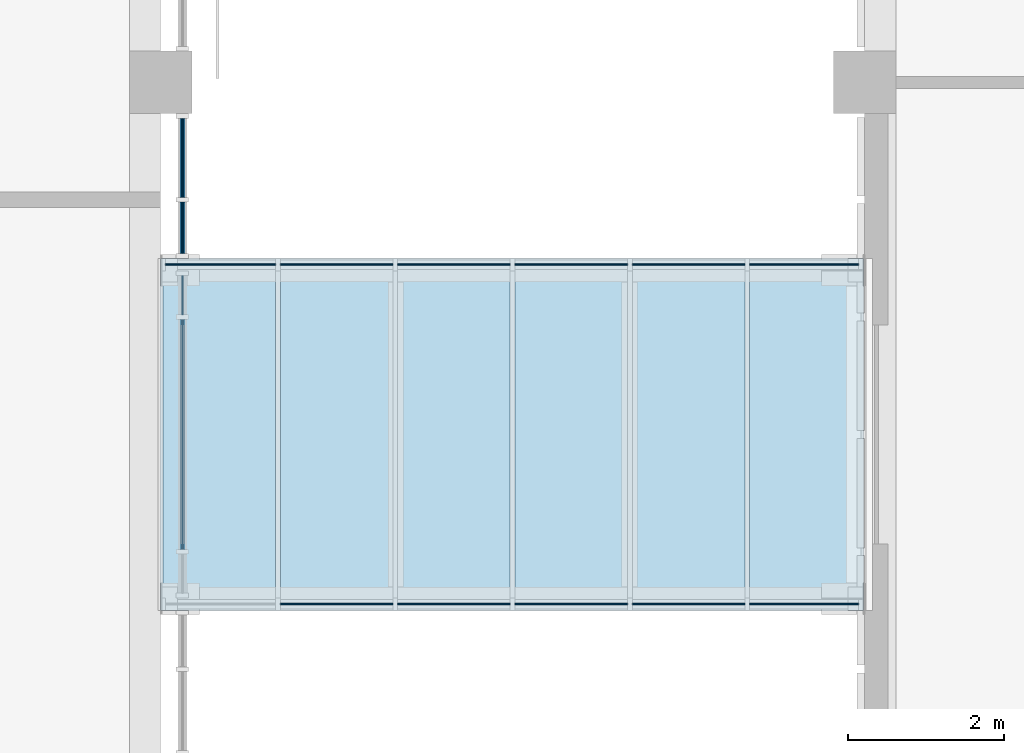
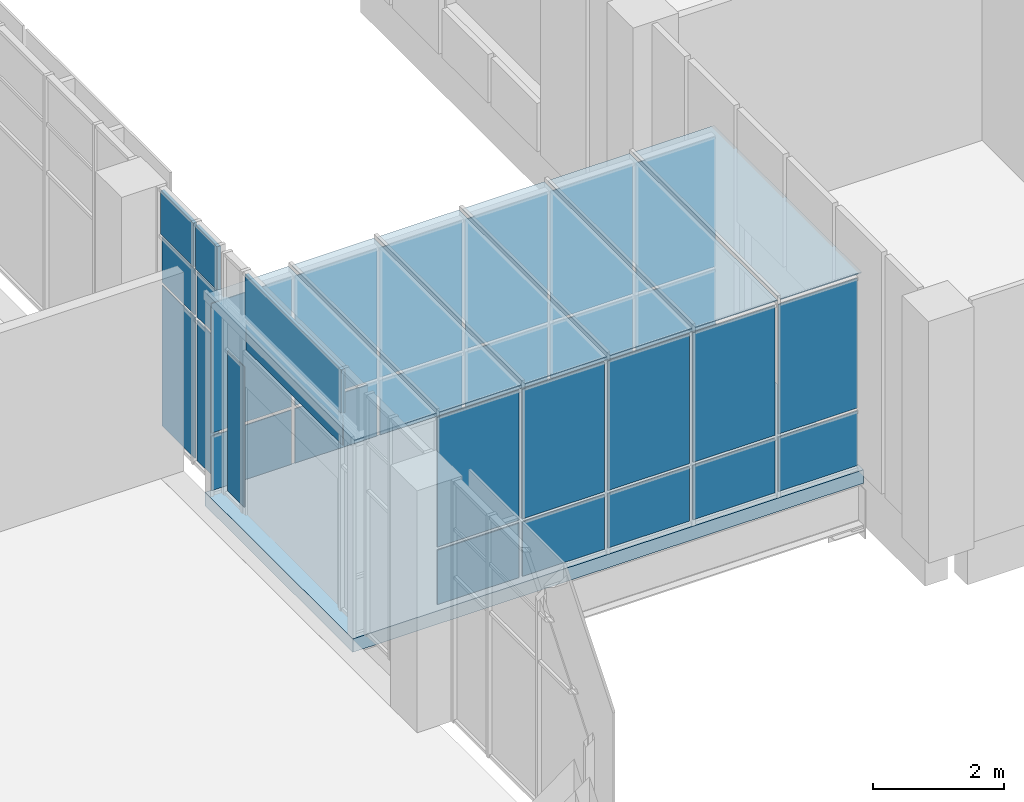
# One storey, part 43 of 88: 37 plates, 1 slab, 5 elements without a shape of their own.
"""IFC4 building model written with IfcOpenShell, lengths in metres."""

from ifc_helpers import new_model, si_unit, direction, frame, origin, origin_2d, place, context, subcontext, project, spatial, polyline, rectangle, outline, extrude, material, layer, layer_set, type_object, element, aggregate, save


model = new_model("IFC4")

# Units and contexts
model_context = context("Model", 3, precision=1e-05, world=origin(), true_north=direction((0.0, 1.0)))
body_context = subcontext(model_context, "Body", "Model", "MODEL_VIEW")
ifc_project = project(units=[si_unit("LENGTHUNIT", "METRE"), si_unit("AREAUNIT", "SQUARE_METRE"), si_unit("VOLUMEUNIT", "CUBIC_METRE"), si_unit("PLANEANGLEUNIT", "RADIAN"), si_unit("MASSUNIT", "GRAM", prefix="KILO")], contexts=[model_context])

# Site, building, storey
site_placement = place(None, origin())
site = spatial("IfcSite", under=ifc_project, at=site_placement, CompositionType="ELEMENT")
building_placement = place(site_placement, origin())
building = spatial("IfcBuilding", under=site, at=building_placement, Name="Guidao Yard Department Store", CompositionType="ELEMENT")
storey_placement = place(building_placement, frame((0.0, 0.0, 6.0)))
storey = spatial("IfcBuildingStorey", under=building, at=storey_placement, Name="L01", CompositionType="ELEMENT", Elevation=6.0)

# Slab
ifc_material_1 = material(Name="Concrete C35", Category="concrete")
ifc_layer_1 = layer(ifc_material_1, 0.25)
ifc_layer_set_1 = layer_set([ifc_layer_1], Name="Bridge deck slab 250 C35")
slab_type = type_object("IfcSlabType", Name="Bridge deck slab 250 C35", PredefinedType="FLOOR", material=ifc_layer_set_1)
slab_placement = place(storey_placement, frame((0.0, 0.0, -0.25)))
element("IfcSlab", 1, at=slab_placement, inside=storey, type_object=slab_type, Name="Slab BR06", PredefinedType="FLOOR", context=body_context, shape_type="SweptSolid", body=[
    extrude(outline(polyline([(108.0, 56.25), (108.0, 60.75), (116.985107421875, 60.75), (116.985107421875, 56.25), (108.0, 56.25)])), origin(), (0.0, 0.0, 1.0), 0.25),
])

# Curtain wall, plates
ifc_material_2 = material(Name="Aluminium and glass", Category="aluminium")
ifc_layer_2 = layer(ifc_material_2, 0.159912109375)
ifc_layer_set_2 = layer_set([ifc_layer_2], Name="Bridge glazing CW5 1500 module")
curtain_wall_type_1 = type_object("IfcCurtainWallType", Name="Bridge glazing CW5 1500 module", PredefinedType="NOTDEFINED", material=ifc_layer_set_2)
curtain_wall_1_placement = place(storey_placement, origin())
curtain_wall_1 = element("IfcCurtainWall", 2, at=curtain_wall_1_placement, inside=storey, type_object=curtain_wall_type_1, Name="Bridge roof glazing BR06", PredefinedType="NOTDEFINED")
ifc_material_3 = material(Name="Laminated glass", Category="glass")
ifc_layer_3 = layer(ifc_material_3, 0.017578125)
ifc_layer_set_3 = layer_set([ifc_layer_3], Name="Bridge roof glass BG1 laminated 8+8 fritted")
plate_type_1 = type_object("IfcPlateType", Name="Bridge roof glass BG1 laminated 8+8 fritted", PredefinedType="CURTAIN_PANEL", material=ifc_layer_set_3)
plate_1_placement = place(storey_placement, frame((108.75, 58.5, 3.671142578125), z_axis=(0.0, 0.0, 1.0), x_axis=(1.0, 0.0, 0.0)))
plate_1 = element("IfcPlate", 3, at=plate_1_placement, type_object=plate_type_1, Name="Bridge roof glass BR06", PredefinedType="CURTAIN_PANEL", context=body_context, shape_type="SweptSolid", body=[
    extrude(rectangle(XDim=1.43994140625, YDim=4.5, at=origin_2d()), origin(), (0.0, 0.0, 1.0), 0.017578125),
])
plate_2_placement = place(storey_placement, frame((110.25, 58.5, 3.671142578125), z_axis=(0.0, 0.0, 1.0), x_axis=(1.0, 0.0, 0.0)))
plate_2 = element("IfcPlate", 4, at=plate_2_placement, type_object=plate_type_1, Name="Bridge roof glass BR06", PredefinedType="CURTAIN_PANEL", context=body_context, shape_type="SweptSolid", body=[
    extrude(rectangle(XDim=1.43994140625, YDim=4.5, at=origin_2d()), origin(), (0.0, 0.0, 1.0), 0.017578125),
])
plate_3_placement = place(storey_placement, frame((111.75, 58.5, 3.671142578125), z_axis=(0.0, 0.0, 1.0), x_axis=(1.0, 0.0, 0.0)))
plate_3 = element("IfcPlate", 5, at=plate_3_placement, type_object=plate_type_1, Name="Bridge roof glass BR06", PredefinedType="CURTAIN_PANEL", context=body_context, shape_type="SweptSolid", body=[
    extrude(rectangle(XDim=1.43994140625, YDim=4.5, at=origin_2d()), origin(), (0.0, 0.0, 1.0), 0.017578125),
])
plate_4_placement = place(storey_placement, frame((113.25, 58.5, 3.671142578125), z_axis=(0.0, 0.0, 1.0), x_axis=(1.0, 0.0, 0.0)))
plate_4 = element("IfcPlate", 6, at=plate_4_placement, type_object=plate_type_1, Name="Bridge roof glass BR06", PredefinedType="CURTAIN_PANEL", context=body_context, shape_type="SweptSolid", body=[
    extrude(rectangle(XDim=1.43994140625, YDim=4.5, at=origin_2d()), origin(), (0.0, 0.0, 1.0), 0.017578125),
])
plate_5_placement = place(storey_placement, frame((114.75, 58.5, 3.671142578125), z_axis=(0.0, 0.0, 1.0), x_axis=(1.0, 0.0, 0.0)))
plate_5 = element("IfcPlate", 7, at=plate_5_placement, type_object=plate_type_1, Name="Bridge roof glass BR06", PredefinedType="CURTAIN_PANEL", context=body_context, shape_type="SweptSolid", body=[
    extrude(rectangle(XDim=1.43994140625, YDim=4.5, at=origin_2d()), origin(), (0.0, 0.0, 1.0), 0.017578125),
])
plate_6_placement = place(storey_placement, frame((116.242431640625, 58.5, 3.671142578125), z_axis=(0.0, 0.0, 1.0), x_axis=(1.0, 0.0, 0.0)))
plate_6 = element("IfcPlate", 8, at=plate_6_placement, type_object=plate_type_1, Name="Bridge roof glass BR06", PredefinedType="CURTAIN_PANEL", context=body_context, shape_type="SweptSolid", body=[
    extrude(rectangle(XDim=1.425048828125, YDim=4.5, at=origin_2d()), origin(), (0.0, 0.0, 1.0), 0.017578125),
])
aggregate(curtain_wall_1, [plate_1, plate_2, plate_3, plate_4, plate_5, plate_6])

# Curtain wall, plate
ifc_material_4 = material(Name="Aluminium and glass", Category="aluminium")
ifc_layer_4 = layer(ifc_material_4, 0.159912109375)
ifc_layer_set_4 = layer_set([ifc_layer_4], Name="Shopfront curtain wall CW1 1500 module")
curtain_wall_type_2 = type_object("IfcCurtainWallType", Name="Shopfront curtain wall CW1 1500 module", PredefinedType="NOTDEFINED", material=ifc_layer_set_4)
curtain_wall_2_placement = place(storey_placement, origin())
curtain_wall_2 = element("IfcCurtainWall", 9, at=curtain_wall_2_placement, inside=storey, type_object=curtain_wall_type_2, Name="Arcade shop front", PredefinedType="NOTDEFINED")
ifc_material_5 = material(Name="Aluminium 6063-T5 faced insulated spandrel", Category="aluminium")
ifc_layer_5 = layer(ifc_material_5, 0.06005859375)
ifc_layer_set_5 = layer_set([ifc_layer_5], Name="Spandrel panel SP1 insulated opaque")
plate_type_2 = type_object("IfcPlateType", Name="Spandrel panel SP1 insulated opaque", PredefinedType="CURTAIN_PANEL", material=ifc_layer_set_5)
plate_7_placement = place(storey_placement, frame((108.280029296875, 58.5, 3.6298828125), z_axis=(0.0, 0.0, 1.0), x_axis=(0.0, -1.0, 0.0)))
plate_7 = element("IfcPlate", 10, at=plate_7_placement, type_object=plate_type_2, Name="CW-AS-L01-14 panel 2.3", PredefinedType="CURTAIN_PANEL", context=body_context, shape_type="SweptSolid", body=[
    extrude(rectangle(XDim=2.93994140625, YDim=0.06005859375, at=origin_2d()), origin(), (0.0, 0.0, 1.0), 0.81005859375),
])

# Curtain wall, plates
curtain_wall_3_placement = place(storey_placement, origin())
curtain_wall_3 = element("IfcCurtainWall", 11, at=curtain_wall_3_placement, inside=storey, type_object=curtain_wall_type_2, Name="Arcade shop front", PredefinedType="NOTDEFINED")
plate_8_placement = place(storey_placement, frame((108.280029296875, 61.139892578125, 3.6298828125), z_axis=(0.0, 0.0, 1.0), x_axis=(0.0, -1.0, 0.0)))
plate_8 = element("IfcPlate", 12, at=plate_8_placement, type_object=plate_type_2, Name="CW-AS-L01-15 panel 1.3", PredefinedType="CURTAIN_PANEL", context=body_context, shape_type="SweptSolid", body=[
    extrude(rectangle(XDim=0.659912109375, YDim=0.06005859375, at=origin_2d()), origin(), (0.0, 0.0, 1.0), 0.81005859375),
])
plate_9_placement = place(storey_placement, frame((108.280029296875, 62.034912109375, 3.6298828125), z_axis=(0.0, 0.0, 1.0), x_axis=(0.0, -1.0, 0.0)))
plate_9 = element("IfcPlate", 13, at=plate_9_placement, type_object=plate_type_2, Name="CW-AS-L01-15 panel 2.3", PredefinedType="CURTAIN_PANEL", context=body_context, shape_type="SweptSolid", body=[
    extrude(rectangle(XDim=1.010009765625, YDim=0.06005859375, at=origin_2d()), origin(), (0.0, 0.0, 1.0), 0.81005859375),
])

# Plate
ifc_material_6 = material(Name="Laminated heat-soaked tempered glass", Category="glass")
ifc_layer_6 = layer(ifc_material_6, 0.017578125)
ifc_layer_set_6 = layer_set([ifc_layer_6], Name="Vision glass VG1 laminated heat-soaked tempered 8+8")
plate_type_3 = type_object("IfcPlateType", Name="Vision glass VG1 laminated heat-soaked tempered 8+8", PredefinedType="CURTAIN_PANEL", material=ifc_layer_set_6)
plate_10_placement = place(storey_placement, frame((108.280029296875, 58.5, 3.030029296875), z_axis=(0.0, 0.0, 1.0), x_axis=(0.0, -1.0, 0.0)))
plate_10 = element("IfcPlate", 14, at=plate_10_placement, type_object=plate_type_3, Name="CW-AS-L01-14 panel 2.2", PredefinedType="CURTAIN_PANEL", context=body_context, shape_type="SweptSolid", body=[
    extrude(rectangle(XDim=2.93994140625, YDim=0.017578125, at=origin_2d()), origin(), (0.0, 0.0, 1.0), 0.5400390625),
])

plate_11_placement = place(storey_placement, frame((108.280029296875, 60.280029296875, 0.06005859375), z_axis=(0.0, 0.0, 1.0), x_axis=(0.0, -1.0, 0.0)))
plate_11 = element("IfcPlate", 15, at=plate_11_placement, type_object=plate_type_3, Name="CW-AS-L01-14 panel 3.1", PredefinedType="CURTAIN_PANEL", context=body_context, shape_type="SweptSolid", body=[
    extrude(rectangle(XDim=0.5, YDim=0.017578125, at=origin_2d()), origin(), (0.0, 0.0, 1.0), 2.610107421875),
])

aggregate(curtain_wall_2, [plate_10, plate_7, plate_11])

plate_12_placement = place(storey_placement, frame((108.280029296875, 61.139892578125, 0.06005859375), z_axis=(0.0, 0.0, 1.0), x_axis=(0.0, -1.0, 0.0)))
plate_12 = element("IfcPlate", 16, at=plate_12_placement, type_object=plate_type_3, Name="CW-AS-L01-15 panel 1.1", PredefinedType="CURTAIN_PANEL", context=body_context, shape_type="SweptSolid", body=[
    extrude(rectangle(XDim=0.659912109375, YDim=0.017578125, at=origin_2d()), origin(), (0.0, 0.0, 1.0), 2.610107421875),
])

plate_13_placement = place(storey_placement, frame((108.280029296875, 61.139892578125, 2.72998046875), z_axis=(0.0, 0.0, 1.0), x_axis=(0.0, -1.0, 0.0)))
plate_13 = element("IfcPlate", 17, at=plate_13_placement, type_object=plate_type_3, Name="CW-AS-L01-15 panel 1.2", PredefinedType="CURTAIN_PANEL", context=body_context, shape_type="SweptSolid", body=[
    extrude(rectangle(XDim=0.659912109375, YDim=0.017578125, at=origin_2d()), origin(), (0.0, 0.0, 1.0), 0.840087890625),
])

plate_14_placement = place(storey_placement, frame((108.280029296875, 62.034912109375, 0.06005859375), z_axis=(0.0, 0.0, 1.0), x_axis=(0.0, -1.0, 0.0)))
plate_14 = element("IfcPlate", 18, at=plate_14_placement, type_object=plate_type_3, Name="CW-AS-L01-15 panel 2.1", PredefinedType="CURTAIN_PANEL", context=body_context, shape_type="SweptSolid", body=[
    extrude(rectangle(XDim=1.010009765625, YDim=0.017578125, at=origin_2d()), origin(), (0.0, 0.0, 1.0), 2.610107421875),
])

plate_15_placement = place(storey_placement, frame((108.280029296875, 62.034912109375, 2.72998046875), z_axis=(0.0, 0.0, 1.0), x_axis=(0.0, -1.0, 0.0)))
plate_15 = element("IfcPlate", 19, at=plate_15_placement, type_object=plate_type_3, Name="CW-AS-L01-15 panel 2.2", PredefinedType="CURTAIN_PANEL", context=body_context, shape_type="SweptSolid", body=[
    extrude(rectangle(XDim=1.010009765625, YDim=0.017578125, at=origin_2d()), origin(), (0.0, 0.0, 1.0), 0.840087890625),
])

aggregate(curtain_wall_3, [plate_12, plate_13, plate_8, plate_14, plate_15, plate_9])

# Curtain wall, plates
curtain_wall_4_placement = place(storey_placement, origin())
curtain_wall_4 = element("IfcCurtainWall", 20, at=curtain_wall_4_placement, inside=storey, type_object=curtain_wall_type_1, Name="Bridge glazing BR06 S", PredefinedType="NOTDEFINED")
plate_16_placement = place(storey_placement, frame((110.25, 56.330078125, 0.06005859375), z_axis=(0.0, 0.0, 1.0), x_axis=(-1.0, 0.0, 0.0)))
plate_16 = element("IfcPlate", 21, at=plate_16_placement, type_object=plate_type_3, Name="CW-S-L01-05 panel 2.1", PredefinedType="CURTAIN_PANEL", context=body_context, shape_type="SweptSolid", body=[
    extrude(rectangle(XDim=1.43994140625, YDim=0.017578125, at=origin_2d()), origin(), (0.0, 0.0, 1.0), 1.010009765625),
])
plate_17_placement = place(storey_placement, frame((110.25, 56.330078125, 1.1298828125), z_axis=(0.0, 0.0, 1.0), x_axis=(-1.0, 0.0, 0.0)))
plate_17 = element("IfcPlate", 22, at=plate_17_placement, type_object=plate_type_3, Name="CW-S-L01-05 panel 2.2", PredefinedType="CURTAIN_PANEL", context=body_context, shape_type="SweptSolid", body=[
    extrude(rectangle(XDim=1.43994140625, YDim=0.017578125, at=origin_2d()), origin(), (0.0, 0.0, 1.0), 2.409912109375),
])
plate_18_placement = place(storey_placement, frame((111.75, 56.330078125, 0.06005859375), z_axis=(0.0, 0.0, 1.0), x_axis=(-1.0, 0.0, 0.0)))
plate_18 = element("IfcPlate", 23, at=plate_18_placement, type_object=plate_type_3, Name="CW-S-L01-05 panel 3.1", PredefinedType="CURTAIN_PANEL", context=body_context, shape_type="SweptSolid", body=[
    extrude(rectangle(XDim=1.43994140625, YDim=0.017578125, at=origin_2d()), origin(), (0.0, 0.0, 1.0), 1.010009765625),
])
plate_19_placement = place(storey_placement, frame((111.75, 56.330078125, 1.1298828125), z_axis=(0.0, 0.0, 1.0), x_axis=(-1.0, 0.0, 0.0)))
plate_19 = element("IfcPlate", 24, at=plate_19_placement, type_object=plate_type_3, Name="CW-S-L01-05 panel 3.2", PredefinedType="CURTAIN_PANEL", context=body_context, shape_type="SweptSolid", body=[
    extrude(rectangle(XDim=1.43994140625, YDim=0.017578125, at=origin_2d()), origin(), (0.0, 0.0, 1.0), 2.409912109375),
])
plate_20_placement = place(storey_placement, frame((113.25, 56.330078125, 0.06005859375), z_axis=(0.0, 0.0, 1.0), x_axis=(-1.0, 0.0, 0.0)))
plate_20 = element("IfcPlate", 25, at=plate_20_placement, type_object=plate_type_3, Name="CW-S-L01-05 panel 4.1", PredefinedType="CURTAIN_PANEL", context=body_context, shape_type="SweptSolid", body=[
    extrude(rectangle(XDim=1.43994140625, YDim=0.017578125, at=origin_2d()), origin(), (0.0, 0.0, 1.0), 1.010009765625),
])
plate_21_placement = place(storey_placement, frame((113.25, 56.330078125, 1.1298828125), z_axis=(0.0, 0.0, 1.0), x_axis=(-1.0, 0.0, 0.0)))
plate_21 = element("IfcPlate", 26, at=plate_21_placement, type_object=plate_type_3, Name="CW-S-L01-05 panel 4.2", PredefinedType="CURTAIN_PANEL", context=body_context, shape_type="SweptSolid", body=[
    extrude(rectangle(XDim=1.43994140625, YDim=0.017578125, at=origin_2d()), origin(), (0.0, 0.0, 1.0), 2.409912109375),
])
plate_22_placement = place(storey_placement, frame((114.75, 56.330078125, 0.06005859375), z_axis=(0.0, 0.0, 1.0), x_axis=(-1.0, 0.0, 0.0)))
plate_22 = element("IfcPlate", 27, at=plate_22_placement, type_object=plate_type_3, Name="CW-S-L01-05 panel 5.1", PredefinedType="CURTAIN_PANEL", context=body_context, shape_type="SweptSolid", body=[
    extrude(rectangle(XDim=1.43994140625, YDim=0.017578125, at=origin_2d()), origin(), (0.0, 0.0, 1.0), 1.010009765625),
])
plate_23_placement = place(storey_placement, frame((114.75, 56.330078125, 1.1298828125), z_axis=(0.0, 0.0, 1.0), x_axis=(-1.0, 0.0, 0.0)))
plate_23 = element("IfcPlate", 28, at=plate_23_placement, type_object=plate_type_3, Name="CW-S-L01-05 panel 5.2", PredefinedType="CURTAIN_PANEL", context=body_context, shape_type="SweptSolid", body=[
    extrude(rectangle(XDim=1.43994140625, YDim=0.017578125, at=origin_2d()), origin(), (0.0, 0.0, 1.0), 2.409912109375),
])
plate_24_placement = place(storey_placement, frame((116.2275390625, 56.330078125, 0.06005859375), z_axis=(0.0, 0.0, 1.0), x_axis=(-1.0, 0.0, 0.0)))
plate_24 = element("IfcPlate", 29, at=plate_24_placement, type_object=plate_type_3, Name="CW-S-L01-05 panel 6.1", PredefinedType="CURTAIN_PANEL", context=body_context, shape_type="SweptSolid", body=[
    extrude(rectangle(XDim=1.39501953125, YDim=0.017578125, at=origin_2d()), origin(), (0.0, 0.0, 1.0), 1.010009765625),
])
plate_25_placement = place(storey_placement, frame((116.2275390625, 56.330078125, 1.1298828125), z_axis=(0.0, 0.0, 1.0), x_axis=(-1.0, 0.0, 0.0)))
plate_25 = element("IfcPlate", 30, at=plate_25_placement, type_object=plate_type_3, Name="CW-S-L01-05 panel 6.2", PredefinedType="CURTAIN_PANEL", context=body_context, shape_type="SweptSolid", body=[
    extrude(rectangle(XDim=1.39501953125, YDim=0.017578125, at=origin_2d()), origin(), (0.0, 0.0, 1.0), 2.409912109375),
])
aggregate(curtain_wall_4, [plate_16, plate_17, plate_18, plate_19, plate_20, plate_21, plate_22, plate_23, plate_24, plate_25])

curtain_wall_5_placement = place(storey_placement, origin())
curtain_wall_5 = element("IfcCurtainWall", 31, at=curtain_wall_5_placement, inside=storey, type_object=curtain_wall_type_1, Name="Bridge glazing BR06 N", PredefinedType="NOTDEFINED")
plate_26_placement = place(storey_placement, frame((108.764892578125, 60.669921875, 0.06005859375), z_axis=(0.0, 0.0, 1.0), x_axis=(1.0, 0.0, 0.0)))
plate_26 = element("IfcPlate", 32, at=plate_26_placement, type_object=plate_type_3, Name="CW-N-L01-06 panel 1.1", PredefinedType="CURTAIN_PANEL", context=body_context, shape_type="SweptSolid", body=[
    extrude(rectangle(XDim=1.409912109375, YDim=0.017578125, at=origin_2d()), origin(), (0.0, 0.0, 1.0), 1.010009765625),
])
plate_27_placement = place(storey_placement, frame((108.764892578125, 60.669921875, 1.1298828125), z_axis=(0.0, 0.0, 1.0), x_axis=(1.0, 0.0, 0.0)))
plate_27 = element("IfcPlate", 33, at=plate_27_placement, type_object=plate_type_3, Name="CW-N-L01-06 panel 1.2", PredefinedType="CURTAIN_PANEL", context=body_context, shape_type="SweptSolid", body=[
    extrude(rectangle(XDim=1.409912109375, YDim=0.017578125, at=origin_2d()), origin(), (0.0, 0.0, 1.0), 2.409912109375),
])
plate_28_placement = place(storey_placement, frame((110.25, 60.669921875, 0.06005859375), z_axis=(0.0, 0.0, 1.0), x_axis=(1.0, 0.0, 0.0)))
plate_28 = element("IfcPlate", 34, at=plate_28_placement, type_object=plate_type_3, Name="CW-N-L01-06 panel 2.1", PredefinedType="CURTAIN_PANEL", context=body_context, shape_type="SweptSolid", body=[
    extrude(rectangle(XDim=1.43994140625, YDim=0.017578125, at=origin_2d()), origin(), (0.0, 0.0, 1.0), 1.010009765625),
])
plate_29_placement = place(storey_placement, frame((110.25, 60.669921875, 1.1298828125), z_axis=(0.0, 0.0, 1.0), x_axis=(1.0, 0.0, 0.0)))
plate_29 = element("IfcPlate", 35, at=plate_29_placement, type_object=plate_type_3, Name="CW-N-L01-06 panel 2.2", PredefinedType="CURTAIN_PANEL", context=body_context, shape_type="SweptSolid", body=[
    extrude(rectangle(XDim=1.43994140625, YDim=0.017578125, at=origin_2d()), origin(), (0.0, 0.0, 1.0), 2.409912109375),
])
plate_30_placement = place(storey_placement, frame((111.75, 60.669921875, 0.06005859375), z_axis=(0.0, 0.0, 1.0), x_axis=(1.0, 0.0, 0.0)))
plate_30 = element("IfcPlate", 36, at=plate_30_placement, type_object=plate_type_3, Name="CW-N-L01-06 panel 3.1", PredefinedType="CURTAIN_PANEL", context=body_context, shape_type="SweptSolid", body=[
    extrude(rectangle(XDim=1.43994140625, YDim=0.017578125, at=origin_2d()), origin(), (0.0, 0.0, 1.0), 1.010009765625),
])
plate_31_placement = place(storey_placement, frame((111.75, 60.669921875, 1.1298828125), z_axis=(0.0, 0.0, 1.0), x_axis=(1.0, 0.0, 0.0)))
plate_31 = element("IfcPlate", 37, at=plate_31_placement, type_object=plate_type_3, Name="CW-N-L01-06 panel 3.2", PredefinedType="CURTAIN_PANEL", context=body_context, shape_type="SweptSolid", body=[
    extrude(rectangle(XDim=1.43994140625, YDim=0.017578125, at=origin_2d()), origin(), (0.0, 0.0, 1.0), 2.409912109375),
])
plate_32_placement = place(storey_placement, frame((113.25, 60.669921875, 0.06005859375), z_axis=(0.0, 0.0, 1.0), x_axis=(1.0, 0.0, 0.0)))
plate_32 = element("IfcPlate", 38, at=plate_32_placement, type_object=plate_type_3, Name="CW-N-L01-06 panel 4.1", PredefinedType="CURTAIN_PANEL", context=body_context, shape_type="SweptSolid", body=[
    extrude(rectangle(XDim=1.43994140625, YDim=0.017578125, at=origin_2d()), origin(), (0.0, 0.0, 1.0), 1.010009765625),
])
plate_33_placement = place(storey_placement, frame((113.25, 60.669921875, 1.1298828125), z_axis=(0.0, 0.0, 1.0), x_axis=(1.0, 0.0, 0.0)))
plate_33 = element("IfcPlate", 39, at=plate_33_placement, type_object=plate_type_3, Name="CW-N-L01-06 panel 4.2", PredefinedType="CURTAIN_PANEL", context=body_context, shape_type="SweptSolid", body=[
    extrude(rectangle(XDim=1.43994140625, YDim=0.017578125, at=origin_2d()), origin(), (0.0, 0.0, 1.0), 2.409912109375),
])
plate_34_placement = place(storey_placement, frame((114.75, 60.669921875, 0.06005859375), z_axis=(0.0, 0.0, 1.0), x_axis=(1.0, 0.0, 0.0)))
plate_34 = element("IfcPlate", 40, at=plate_34_placement, type_object=plate_type_3, Name="CW-N-L01-06 panel 5.1", PredefinedType="CURTAIN_PANEL", context=body_context, shape_type="SweptSolid", body=[
    extrude(rectangle(XDim=1.43994140625, YDim=0.017578125, at=origin_2d()), origin(), (0.0, 0.0, 1.0), 1.010009765625),
])
plate_35_placement = place(storey_placement, frame((114.75, 60.669921875, 1.1298828125), z_axis=(0.0, 0.0, 1.0), x_axis=(1.0, 0.0, 0.0)))
plate_35 = element("IfcPlate", 41, at=plate_35_placement, type_object=plate_type_3, Name="CW-N-L01-06 panel 5.2", PredefinedType="CURTAIN_PANEL", context=body_context, shape_type="SweptSolid", body=[
    extrude(rectangle(XDim=1.43994140625, YDim=0.017578125, at=origin_2d()), origin(), (0.0, 0.0, 1.0), 2.409912109375),
])
plate_36_placement = place(storey_placement, frame((116.2275390625, 60.669921875, 0.06005859375), z_axis=(0.0, 0.0, 1.0), x_axis=(1.0, 0.0, 0.0)))
plate_36 = element("IfcPlate", 42, at=plate_36_placement, type_object=plate_type_3, Name="CW-N-L01-06 panel 6.1", PredefinedType="CURTAIN_PANEL", context=body_context, shape_type="SweptSolid", body=[
    extrude(rectangle(XDim=1.39501953125, YDim=0.017578125, at=origin_2d()), origin(), (0.0, 0.0, 1.0), 1.010009765625),
])
plate_37_placement = place(storey_placement, frame((116.2275390625, 60.669921875, 1.1298828125), z_axis=(0.0, 0.0, 1.0), x_axis=(1.0, 0.0, 0.0)))
plate_37 = element("IfcPlate", 43, at=plate_37_placement, type_object=plate_type_3, Name="CW-N-L01-06 panel 6.2", PredefinedType="CURTAIN_PANEL", context=body_context, shape_type="SweptSolid", body=[
    extrude(rectangle(XDim=1.39501953125, YDim=0.017578125, at=origin_2d()), origin(), (0.0, 0.0, 1.0), 2.409912109375),
])
aggregate(curtain_wall_5, [plate_26, plate_27, plate_28, plate_29, plate_30, plate_31, plate_32, plate_33, plate_34, plate_35, plate_36, plate_37])

save(model, "model.ifc")
